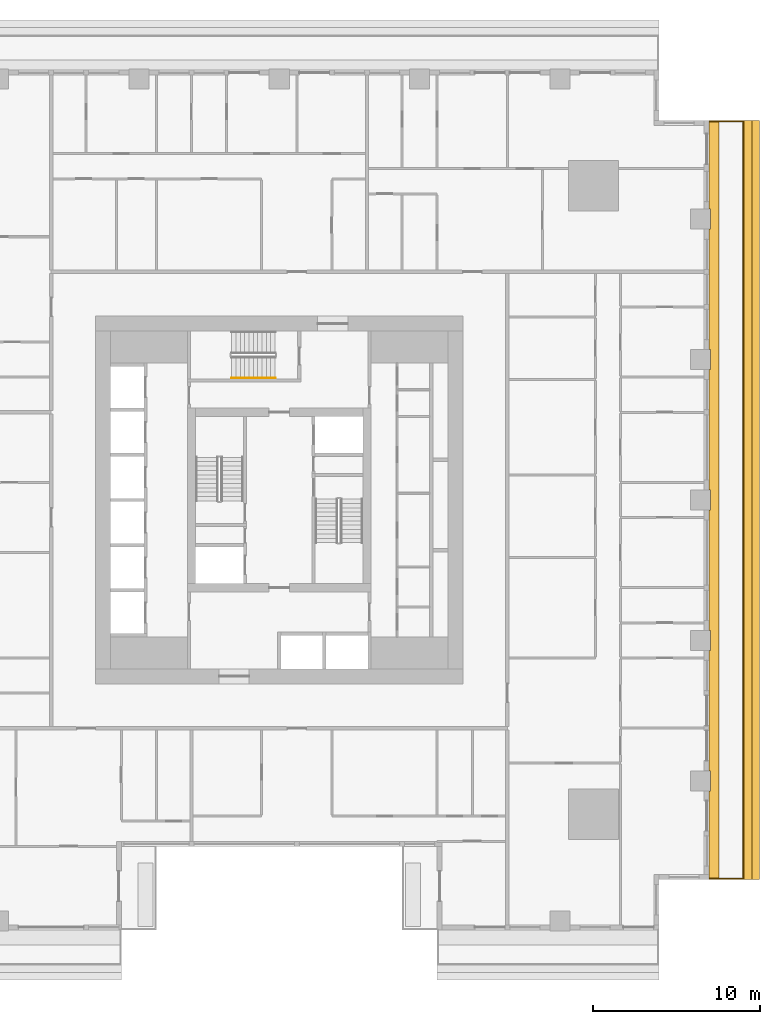
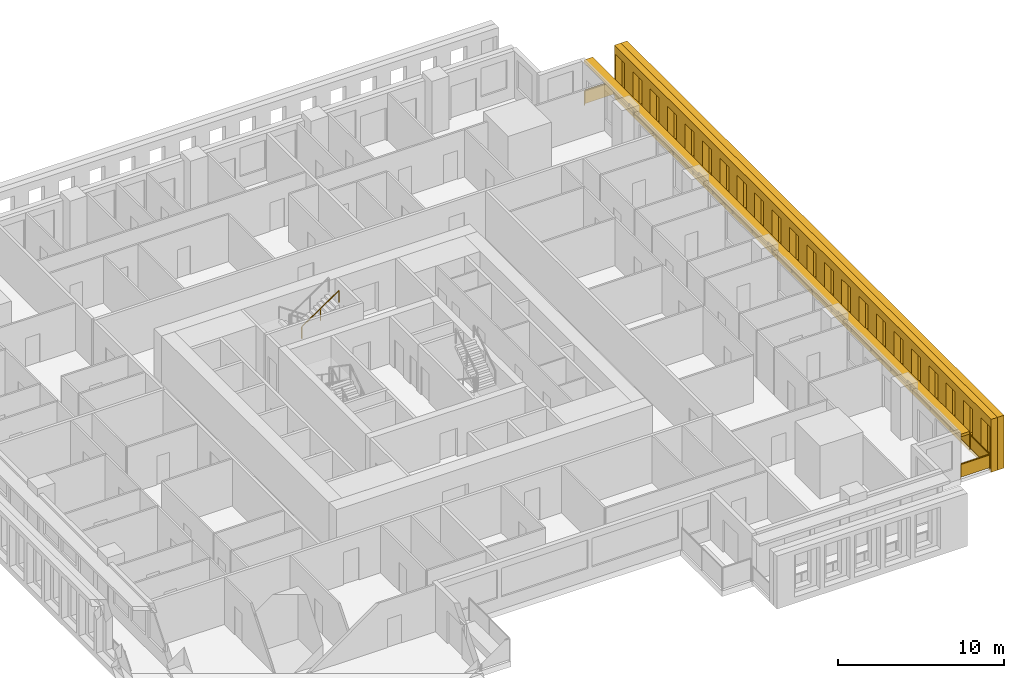
# One storey, part 13 of 15: 3 shading devices, 2 railings.
"""IFC4 building model written with IfcOpenShell, lengths in metres."""

from ifc_helpers import new_model, si_unit, direction, frame, origin, origin_2d, place, context, subcontext, project, spatial, polyline, rectangle, outline, extrude, material, layer, layer_set, type_object, element, save


model = new_model("IFC4")

# Units and contexts
model_context = context("Model", 3, precision=1e-05, world=origin(), true_north=direction((0.0, 1.0)))
body_context = subcontext(model_context, "Body", "Model", "MODEL_VIEW")
ifc_project = project(units=[si_unit("LENGTHUNIT", "METRE"), si_unit("AREAUNIT", "SQUARE_METRE"), si_unit("VOLUMEUNIT", "CUBIC_METRE"), si_unit("PLANEANGLEUNIT", "RADIAN"), si_unit("MASSUNIT", "GRAM", prefix="KILO")], contexts=[model_context])

# Site, building, storey
site_placement = place(None, origin())
site = spatial("IfcSite", under=ifc_project, at=site_placement, CompositionType="ELEMENT")
building_placement = place(site_placement, origin())
building = spatial("IfcBuilding", under=site, at=building_placement, Name="Khepri Terraces", CompositionType="ELEMENT")
storey_placement = place(building_placement, frame((0.0, 0.0, 50.39990234375)))
storey = spatial("IfcBuildingStorey", under=building, at=storey_placement, Name="L11", CompositionType="ELEMENT", Elevation=50.39990234375)

# Railings
ifc_material_1 = material(Name="Stainless steel grade 316", Category="steel")
railing_type_1 = type_object("IfcRailingType", Name="GRD-BAL-1100", PredefinedType="GUARDRAIL", material=ifc_material_1)
railing_1_placement = place(storey_placement, frame((25.719970703125, -22.669921875, 0.0)))
element("IfcRailing", 1, at=railing_1_placement, inside=storey, type_object=railing_type_1, Name="Balcony guard L11 E", PredefinedType="GUARDRAIL", context=body_context, shape_type="SweptSolid", body=[
    extrude(rectangle(XDim=0.050048828125, YDim=0.06005859375, at=origin_2d()), frame((0.0, 0.0, 1.070068359375), z_axis=(1.0, 0.0, 0.0), x_axis=(0.0, 1.0, 0.0)), (0.0, 0.0, 1.0), 2.050048828125),
    extrude(rectangle(XDim=2.0, YDim=0.011962890625, at=origin_2d()), frame((1.02490234375, 0.0, 0.10009765625), z_axis=(0.0, 0.0, 1.0), x_axis=(1.0, 0.0, 0.0)), (0.0, 0.0, 1.0), 0.93994140625),
    extrude(rectangle(XDim=0.050048828125, YDim=0.06005859375, at=origin_2d()), frame((2.050048828125, 0.0, 1.070068359375), z_axis=(0.0, 1.0, 0.0), x_axis=(-1.0, 0.0, 0.0)), (0.0, 0.0, 1.0), 45.33984375),
    extrude(rectangle(XDim=2.336181640625, YDim=0.011962890625, at=origin_2d()), frame((2.050048828125, 1.193115234375, 0.10009765625), z_axis=(0.0, 0.0, 1.0), x_axis=(0.0, 1.0, 0.0)), (0.0, 0.0, 1.0), 0.93994140625),
    extrude(rectangle(XDim=2.336181640625, YDim=0.011962890625, at=origin_2d()), frame((2.050048828125, 3.579345703125, 0.10009765625), z_axis=(0.0, 0.0, 1.0), x_axis=(0.0, 1.0, 0.0)), (0.0, 0.0, 1.0), 0.93994140625),
    extrude(rectangle(XDim=2.336181640625, YDim=0.011962890625, at=origin_2d()), frame((2.050048828125, 5.9658203125, 0.10009765625), z_axis=(0.0, 0.0, 1.0), x_axis=(0.0, 1.0, 0.0)), (0.0, 0.0, 1.0), 0.93994140625),
    extrude(rectangle(XDim=2.336181640625, YDim=0.011962890625, at=origin_2d()), frame((2.050048828125, 8.35205078125, 0.10009765625), z_axis=(0.0, 0.0, 1.0), x_axis=(0.0, 1.0, 0.0)), (0.0, 0.0, 1.0), 0.93994140625),
    extrude(rectangle(XDim=2.336181640625, YDim=0.011962890625, at=origin_2d()), frame((2.050048828125, 10.73828125, 0.10009765625), z_axis=(0.0, 0.0, 1.0), x_axis=(0.0, 1.0, 0.0)), (0.0, 0.0, 1.0), 0.93994140625),
    extrude(rectangle(XDim=2.336181640625, YDim=0.011962890625, at=origin_2d()), frame((2.050048828125, 13.124755859375, 0.10009765625), z_axis=(0.0, 0.0, 1.0), x_axis=(0.0, 1.0, 0.0)), (0.0, 0.0, 1.0), 0.93994140625),
    extrude(rectangle(XDim=2.336181640625, YDim=0.011962890625, at=origin_2d()), frame((2.050048828125, 15.510986328125, 0.10009765625), z_axis=(0.0, 0.0, 1.0), x_axis=(0.0, 1.0, 0.0)), (0.0, 0.0, 1.0), 0.93994140625),
    extrude(rectangle(XDim=2.336181640625, YDim=0.011962890625, at=origin_2d()), frame((2.050048828125, 17.897216796875, 0.10009765625), z_axis=(0.0, 0.0, 1.0), x_axis=(0.0, 1.0, 0.0)), (0.0, 0.0, 1.0), 0.93994140625),
    extrude(rectangle(XDim=2.336181640625, YDim=0.011962890625, at=origin_2d()), frame((2.050048828125, 20.28369140625, 0.10009765625), z_axis=(0.0, 0.0, 1.0), x_axis=(0.0, 1.0, 0.0)), (0.0, 0.0, 1.0), 0.93994140625),
    extrude(rectangle(XDim=2.336181640625, YDim=0.011962890625, at=origin_2d()), frame((2.050048828125, 22.669921875, 0.10009765625), z_axis=(0.0, 0.0, 1.0), x_axis=(0.0, 1.0, 0.0)), (0.0, 0.0, 1.0), 0.93994140625),
    extrude(rectangle(XDim=2.336181640625, YDim=0.011962890625, at=origin_2d()), frame((2.050048828125, 25.05615234375, 0.10009765625), z_axis=(0.0, 0.0, 1.0), x_axis=(0.0, 1.0, 0.0)), (0.0, 0.0, 1.0), 0.93994140625),
    extrude(rectangle(XDim=2.336181640625, YDim=0.011962890625, at=origin_2d()), frame((2.050048828125, 27.442626953125, 0.10009765625), z_axis=(0.0, 0.0, 1.0), x_axis=(0.0, 1.0, 0.0)), (0.0, 0.0, 1.0), 0.93994140625),
    extrude(rectangle(XDim=2.336181640625, YDim=0.011962890625, at=origin_2d()), frame((2.050048828125, 29.828857421875, 0.10009765625), z_axis=(0.0, 0.0, 1.0), x_axis=(0.0, 1.0, 0.0)), (0.0, 0.0, 1.0), 0.93994140625),
    extrude(rectangle(XDim=2.336181640625, YDim=0.011962890625, at=origin_2d()), frame((2.050048828125, 32.215087890625, 0.10009765625), z_axis=(0.0, 0.0, 1.0), x_axis=(0.0, 1.0, 0.0)), (0.0, 0.0, 1.0), 0.93994140625),
    extrude(rectangle(XDim=2.336181640625, YDim=0.011962890625, at=origin_2d()), frame((2.050048828125, 34.6015625, 0.10009765625), z_axis=(0.0, 0.0, 1.0), x_axis=(0.0, 1.0, 0.0)), (0.0, 0.0, 1.0), 0.93994140625),
    extrude(rectangle(XDim=2.336181640625, YDim=0.011962890625, at=origin_2d()), frame((2.050048828125, 36.98779296875, 0.10009765625), z_axis=(0.0, 0.0, 1.0), x_axis=(0.0, 1.0, 0.0)), (0.0, 0.0, 1.0), 0.93994140625),
    extrude(rectangle(XDim=2.336181640625, YDim=0.011962890625, at=origin_2d()), frame((2.050048828125, 39.3740234375, 0.10009765625), z_axis=(0.0, 0.0, 1.0), x_axis=(0.0, 1.0, 0.0)), (0.0, 0.0, 1.0), 0.93994140625),
    extrude(rectangle(XDim=2.336181640625, YDim=0.011962890625, at=origin_2d()), frame((2.050048828125, 41.760498046875, 0.10009765625), z_axis=(0.0, 0.0, 1.0), x_axis=(0.0, 1.0, 0.0)), (0.0, 0.0, 1.0), 0.93994140625),
    extrude(rectangle(XDim=2.336181640625, YDim=0.011962890625, at=origin_2d()), frame((2.050048828125, 44.146728515625, 0.10009765625), z_axis=(0.0, 0.0, 1.0), x_axis=(0.0, 1.0, 0.0)), (0.0, 0.0, 1.0), 0.93994140625),
    extrude(rectangle(XDim=0.050048828125, YDim=0.06005859375, at=origin_2d()), frame((2.050048828125, 45.33984375, 1.070068359375), z_axis=(-1.0, 0.0, 0.0), x_axis=(0.0, -1.0, 0.0)), (0.0, 0.0, 1.0), 2.050048828125),
    extrude(rectangle(XDim=2.0, YDim=0.011962890625, at=origin_2d()), frame((1.02490234375, 45.33984375, 0.10009765625), z_axis=(0.0, 0.0, 1.0), x_axis=(-1.0, 0.0, 0.0)), (0.0, 0.0, 1.0), 0.93994140625),
    extrude(rectangle(XDim=0.050048828125, YDim=0.050048828125, at=origin_2d()), origin(), (0.0, 0.0, 1.0), 1.0400390625),
    extrude(rectangle(XDim=0.050048828125, YDim=0.050048828125, at=origin_2d()), frame((2.050048828125, 0.0, 0.0)), (0.0, 0.0, 1.0), 1.0400390625),
    extrude(rectangle(XDim=0.050048828125, YDim=0.050048828125, at=origin_2d()), frame((2.050048828125, 2.38623046875, 0.0)), (0.0, 0.0, 1.0), 1.0400390625),
    extrude(rectangle(XDim=0.050048828125, YDim=0.050048828125, at=origin_2d()), frame((2.050048828125, 4.772705078125, 0.0)), (0.0, 0.0, 1.0), 1.0400390625),
    extrude(rectangle(XDim=0.050048828125, YDim=0.050048828125, at=origin_2d()), frame((2.050048828125, 7.158935546875, 0.0)), (0.0, 0.0, 1.0), 1.0400390625),
    extrude(rectangle(XDim=0.050048828125, YDim=0.050048828125, at=origin_2d()), frame((2.050048828125, 9.545166015625, 0.0)), (0.0, 0.0, 1.0), 1.0400390625),
    extrude(rectangle(XDim=0.050048828125, YDim=0.050048828125, at=origin_2d()), frame((2.050048828125, 11.931640625, 0.0)), (0.0, 0.0, 1.0), 1.0400390625),
    extrude(rectangle(XDim=0.050048828125, YDim=0.050048828125, at=origin_2d()), frame((2.050048828125, 14.31787109375, 0.0)), (0.0, 0.0, 1.0), 1.0400390625),
    extrude(rectangle(XDim=0.050048828125, YDim=0.050048828125, at=origin_2d()), frame((2.050048828125, 16.7041015625, 0.0)), (0.0, 0.0, 1.0), 1.0400390625),
    extrude(rectangle(XDim=0.050048828125, YDim=0.050048828125, at=origin_2d()), frame((2.050048828125, 19.090576171875, 0.0)), (0.0, 0.0, 1.0), 1.0400390625),
    extrude(rectangle(XDim=0.050048828125, YDim=0.050048828125, at=origin_2d()), frame((2.050048828125, 21.476806640625, 0.0)), (0.0, 0.0, 1.0), 1.0400390625),
    extrude(rectangle(XDim=0.050048828125, YDim=0.050048828125, at=origin_2d()), frame((2.050048828125, 23.863037109375, 0.0)), (0.0, 0.0, 1.0), 1.0400390625),
    extrude(rectangle(XDim=0.050048828125, YDim=0.050048828125, at=origin_2d()), frame((2.050048828125, 26.249267578125, 0.0)), (0.0, 0.0, 1.0), 1.0400390625),
    extrude(rectangle(XDim=0.050048828125, YDim=0.050048828125, at=origin_2d()), frame((2.050048828125, 28.6357421875, 0.0)), (0.0, 0.0, 1.0), 1.0400390625),
    extrude(rectangle(XDim=0.050048828125, YDim=0.050048828125, at=origin_2d()), frame((2.050048828125, 31.02197265625, 0.0)), (0.0, 0.0, 1.0), 1.0400390625),
    extrude(rectangle(XDim=0.050048828125, YDim=0.050048828125, at=origin_2d()), frame((2.050048828125, 33.408203125, 0.0)), (0.0, 0.0, 1.0), 1.0400390625),
    extrude(rectangle(XDim=0.050048828125, YDim=0.050048828125, at=origin_2d()), frame((2.050048828125, 35.794677734375, 0.0)), (0.0, 0.0, 1.0), 1.0400390625),
    extrude(rectangle(XDim=0.050048828125, YDim=0.050048828125, at=origin_2d()), frame((2.050048828125, 38.180908203125, 0.0)), (0.0, 0.0, 1.0), 1.0400390625),
    extrude(rectangle(XDim=0.050048828125, YDim=0.050048828125, at=origin_2d()), frame((2.050048828125, 40.567138671875, 0.0)), (0.0, 0.0, 1.0), 1.0400390625),
    extrude(rectangle(XDim=0.050048828125, YDim=0.050048828125, at=origin_2d()), frame((2.050048828125, 42.95361328125, 0.0)), (0.0, 0.0, 1.0), 1.0400390625),
    extrude(rectangle(XDim=0.050048828125, YDim=0.050048828125, at=origin_2d()), frame((2.050048828125, 45.33984375, 0.0)), (0.0, 0.0, 1.0), 1.0400390625),
    extrude(rectangle(XDim=0.050048828125, YDim=0.050048828125, at=origin_2d()), frame((0.0, 45.33984375, 0.0)), (0.0, 0.0, 1.0), 1.0400390625),
])
ifc_material_2 = material(Name="Stainless steel 316", Category="steel")
railing_type_2 = type_object("IfcRailingType", Name="RL-CORE-HANDRAIL", PredefinedType="HANDRAIL", material=ifc_material_2)
railing_2_placement = place(storey_placement, frame((-2.85009765625, 7.300048828125, 2.12744140625)))
element("IfcRailing", 2, at=railing_2_placement, inside=storey, type_object=railing_type_2, Name="L11 ST-3 stair handrail 2", PredefinedType="HANDRAIL", context=body_context, shape_type="SweptSolid", body=[
    extrude(rectangle(XDim=0.050048828125, YDim=0.050048828125, at=origin_2d()), frame((0.0, 0.0, 0.875), z_axis=(0.826240473404, 0.0, 0.563317565952), x_axis=(0.0, 1.0, 0.0)), (0.0, 0.0, 1.0), 3.14697265625),
    extrude(rectangle(XDim=0.050048828125, YDim=0.050048828125, at=origin_2d()), origin(), (0.0, 0.0, 1.0), 0.849853515625),
    extrude(rectangle(XDim=0.050048828125, YDim=0.050048828125, at=origin_2d()), frame((1.300048828125, 0.0, 0.88623046875)), (0.0, 0.0, 1.0), 0.849853515625),
    extrude(rectangle(XDim=0.050048828125, YDim=0.050048828125, at=origin_2d()), frame((2.60009765625, 0.0, 1.772705078125)), (0.0, 0.0, 1.0), 0.849853515625),
])

# Shading devices
ifc_material_3 = material(Name="Precast concrete C50/60 warm stone", Category="masonry")
shading_device_type_1 = type_object("IfcShadingDeviceType", Name="SCR-CELL-INNER-450", PredefinedType="USERDEFINED", material=ifc_material_3)
shading_device_1_placement = place(storey_placement, frame((27.820068359375, -22.719970703125, -0.25), z_axis=(1.0, 0.0, 0.0), x_axis=(0.0, 1.0, 0.0)))
element("IfcShadingDevice", 3, at=shading_device_1_placement, inside=storey, type_object=shading_device_type_1, Name="Cell screen L11 E in", ObjectType="SCREEN", PredefinedType="USERDEFINED", context=body_context, shape_type="SweptSolid", body=[
    extrude(outline(polyline([(0.0, 0.0), (45.43994140625, 0.0), (45.43994140625, 3.89990234375), (0.0, 3.89990234375), (0.0, 0.0)]), holes=[polyline([(0.126708984375, 0.699951171875), (1.21337890625, 0.699951171875), (1.21337890625, 3.300048828125), (0.126708984375, 3.300048828125), (0.126708984375, 0.699951171875)]), polyline([(2.2265625, 0.699951171875), (3.3134765625, 0.699951171875), (3.3134765625, 3.300048828125), (2.2265625, 3.300048828125), (2.2265625, 0.699951171875)]), polyline([(4.32666015625, 0.699951171875), (5.413330078125, 0.699951171875), (5.413330078125, 3.300048828125), (4.32666015625, 3.300048828125), (4.32666015625, 0.699951171875)]), polyline([(6.426513671875, 0.699951171875), (7.513427734375, 0.699951171875), (7.513427734375, 3.300048828125), (6.426513671875, 3.300048828125), (6.426513671875, 0.699951171875)]), polyline([(8.526611328125, 0.699951171875), (9.61328125, 0.699951171875), (9.61328125, 3.300048828125), (8.526611328125, 3.300048828125), (8.526611328125, 0.699951171875)]), polyline([(10.626708984375, 0.699951171875), (11.71337890625, 0.699951171875), (11.71337890625, 3.300048828125), (10.626708984375, 3.300048828125), (10.626708984375, 0.699951171875)]), polyline([(12.7265625, 0.699951171875), (13.8134765625, 0.699951171875), (13.8134765625, 3.300048828125), (12.7265625, 3.300048828125), (12.7265625, 0.699951171875)]), polyline([(14.82666015625, 0.699951171875), (15.913330078125, 0.699951171875), (15.913330078125, 3.300048828125), (14.82666015625, 3.300048828125), (14.82666015625, 0.699951171875)]), polyline([(16.926513671875, 0.699951171875), (18.013427734375, 0.699951171875), (18.013427734375, 3.300048828125), (16.926513671875, 3.300048828125), (16.926513671875, 0.699951171875)]), polyline([(19.026611328125, 0.699951171875), (20.11328125, 0.699951171875), (20.11328125, 3.300048828125), (19.026611328125, 3.300048828125), (19.026611328125, 0.699951171875)]), polyline([(21.126708984375, 0.699951171875), (22.21337890625, 0.699951171875), (22.21337890625, 3.300048828125), (21.126708984375, 3.300048828125), (21.126708984375, 0.699951171875)]), polyline([(23.2265625, 0.699951171875), (24.3134765625, 0.699951171875), (24.3134765625, 3.300048828125), (23.2265625, 3.300048828125), (23.2265625, 0.699951171875)]), polyline([(25.32666015625, 0.699951171875), (26.413330078125, 0.699951171875), (26.413330078125, 3.300048828125), (25.32666015625, 3.300048828125), (25.32666015625, 0.699951171875)]), polyline([(27.426513671875, 0.699951171875), (28.513427734375, 0.699951171875), (28.513427734375, 3.300048828125), (27.426513671875, 3.300048828125), (27.426513671875, 0.699951171875)]), polyline([(29.526611328125, 0.699951171875), (30.61328125, 0.699951171875), (30.61328125, 3.300048828125), (29.526611328125, 3.300048828125), (29.526611328125, 0.699951171875)]), polyline([(31.626708984375, 0.699951171875), (32.71337890625, 0.699951171875), (32.71337890625, 3.300048828125), (31.626708984375, 3.300048828125), (31.626708984375, 0.699951171875)]), polyline([(33.7265625, 0.699951171875), (34.8134765625, 0.699951171875), (34.8134765625, 3.300048828125), (33.7265625, 3.300048828125), (33.7265625, 0.699951171875)]), polyline([(35.82666015625, 0.699951171875), (36.913330078125, 0.699951171875), (36.913330078125, 3.300048828125), (35.82666015625, 3.300048828125), (35.82666015625, 0.699951171875)]), polyline([(37.926513671875, 0.699951171875), (39.013427734375, 0.699951171875), (39.013427734375, 3.300048828125), (37.926513671875, 3.300048828125), (37.926513671875, 0.699951171875)]), polyline([(40.026611328125, 0.699951171875), (41.11328125, 0.699951171875), (41.11328125, 3.300048828125), (40.026611328125, 3.300048828125), (40.026611328125, 0.699951171875)]), polyline([(42.126708984375, 0.699951171875), (43.21337890625, 0.699951171875), (43.21337890625, 3.300048828125), (42.126708984375, 3.300048828125), (42.126708984375, 0.699951171875)]), polyline([(44.2265625, 0.699951171875), (45.3134765625, 0.699951171875), (45.3134765625, 3.300048828125), (44.2265625, 3.300048828125), (44.2265625, 0.699951171875)])]), origin(), (0.0, 0.0, 1.0), 0.449951171875),
])
shading_device_type_2 = type_object("IfcShadingDeviceType", Name="SCR-CELL-OUTER-450", PredefinedType="USERDEFINED", material=ifc_material_3)
shading_device_2_placement = place(storey_placement, frame((28.27001953125, -22.719970703125, -0.25), z_axis=(1.0, 0.0, 0.0), x_axis=(0.0, 1.0, 0.0)))
element("IfcShadingDevice", 4, at=shading_device_2_placement, inside=storey, type_object=shading_device_type_2, Name="Cell screen L11 E out", ObjectType="SCREEN", PredefinedType="USERDEFINED", context=body_context, shape_type="SweptSolid", body=[
    extrude(outline(polyline([(0.0, 0.0), (45.43994140625, 0.0), (45.43994140625, 3.89990234375), (0.0, 3.89990234375), (0.0, 0.0)]), holes=[polyline([(1.876708984375, 0.449951171875), (3.663330078125, 0.449951171875), (3.663330078125, 3.550048828125), (1.876708984375, 3.550048828125), (1.876708984375, 0.449951171875)]), polyline([(3.9765625, 0.449951171875), (5.763427734375, 0.449951171875), (5.763427734375, 3.550048828125), (3.9765625, 3.550048828125), (3.9765625, 0.449951171875)]), polyline([(6.07666015625, 0.449951171875), (7.86328125, 0.449951171875), (7.86328125, 3.550048828125), (6.07666015625, 3.550048828125), (6.07666015625, 0.449951171875)]), polyline([(8.176513671875, 0.449951171875), (9.96337890625, 0.449951171875), (9.96337890625, 3.550048828125), (8.176513671875, 3.550048828125), (8.176513671875, 0.449951171875)]), polyline([(10.276611328125, 0.449951171875), (12.0634765625, 0.449951171875), (12.0634765625, 3.550048828125), (10.276611328125, 3.550048828125), (10.276611328125, 0.449951171875)]), polyline([(12.376708984375, 0.449951171875), (14.163330078125, 0.449951171875), (14.163330078125, 3.550048828125), (12.376708984375, 3.550048828125), (12.376708984375, 0.449951171875)]), polyline([(14.4765625, 0.449951171875), (16.263427734375, 0.449951171875), (16.263427734375, 3.550048828125), (14.4765625, 3.550048828125), (14.4765625, 0.449951171875)]), polyline([(16.57666015625, 0.449951171875), (18.36328125, 0.449951171875), (18.36328125, 3.550048828125), (16.57666015625, 3.550048828125), (16.57666015625, 0.449951171875)]), polyline([(18.676513671875, 0.449951171875), (20.46337890625, 0.449951171875), (20.46337890625, 3.550048828125), (18.676513671875, 3.550048828125), (18.676513671875, 0.449951171875)]), polyline([(20.776611328125, 0.449951171875), (22.5634765625, 0.449951171875), (22.5634765625, 3.550048828125), (20.776611328125, 3.550048828125), (20.776611328125, 0.449951171875)]), polyline([(22.876708984375, 0.449951171875), (24.663330078125, 0.449951171875), (24.663330078125, 3.550048828125), (22.876708984375, 3.550048828125), (22.876708984375, 0.449951171875)]), polyline([(24.9765625, 0.449951171875), (26.763427734375, 0.449951171875), (26.763427734375, 3.550048828125), (24.9765625, 3.550048828125), (24.9765625, 0.449951171875)]), polyline([(27.07666015625, 0.449951171875), (28.86328125, 0.449951171875), (28.86328125, 3.550048828125), (27.07666015625, 3.550048828125), (27.07666015625, 0.449951171875)]), polyline([(29.176513671875, 0.449951171875), (30.96337890625, 0.449951171875), (30.96337890625, 3.550048828125), (29.176513671875, 3.550048828125), (29.176513671875, 0.449951171875)]), polyline([(31.276611328125, 0.449951171875), (33.0634765625, 0.449951171875), (33.0634765625, 3.550048828125), (31.276611328125, 3.550048828125), (31.276611328125, 0.449951171875)]), polyline([(33.376708984375, 0.449951171875), (35.163330078125, 0.449951171875), (35.163330078125, 3.550048828125), (33.376708984375, 3.550048828125), (33.376708984375, 0.449951171875)]), polyline([(35.4765625, 0.449951171875), (37.263427734375, 0.449951171875), (37.263427734375, 3.550048828125), (35.4765625, 3.550048828125), (35.4765625, 0.449951171875)]), polyline([(37.57666015625, 0.449951171875), (39.36328125, 0.449951171875), (39.36328125, 3.550048828125), (37.57666015625, 3.550048828125), (37.57666015625, 0.449951171875)]), polyline([(39.676513671875, 0.449951171875), (41.46337890625, 0.449951171875), (41.46337890625, 3.550048828125), (39.676513671875, 3.550048828125), (39.676513671875, 0.449951171875)]), polyline([(41.776611328125, 0.449951171875), (43.5634765625, 0.449951171875), (43.5634765625, 3.550048828125), (41.776611328125, 3.550048828125), (41.776611328125, 0.449951171875)])]), origin(), (0.0, 0.0, 1.0), 0.449951171875),
])
ifc_layer = layer(ifc_material_3, 0.199951171875, Name="Precast concrete C50/60 warm stone", Category="masonry")
ifc_layer_set = layer_set([ifc_layer], Name="Precast concrete C50/60 warm stone")
shading_device_type_3 = type_object("IfcShadingDeviceType", Name="SSH-BAND-STONE-200-N", PredefinedType="USERDEFINED", material=ifc_layer_set)
shading_device_3_placement = place(storey_placement, frame((0.0, 0.0, 3.10009765625)))
element("IfcShadingDevice", 5, at=shading_device_3_placement, inside=storey, type_object=shading_device_type_3, Name="Sunshade band L11 E", ObjectType="SUNSHADE", PredefinedType="USERDEFINED", context=body_context, shape_type="SweptSolid", body=[
    extrude(outline(polyline([(25.719970703125, -17.39990234375), (25.719970703125, -22.719970703125), (26.320068359375, -22.719970703125), (26.320068359375, 22.719970703125), (25.719970703125, 22.719970703125), (25.719970703125, 17.39990234375), (25.800048828125, 17.39990234375), (25.800048828125, 16.199951171875), (25.719970703125, 16.199951171875), (25.719970703125, 9.0), (25.800048828125, 9.0), (25.800048828125, 7.800048828125), (25.719970703125, 7.800048828125), (25.719970703125, 0.60009765625), (25.800048828125, 0.60009765625), (25.800048828125, -0.60009765625), (25.719970703125, -0.60009765625), (25.719970703125, -7.800048828125), (25.800048828125, -7.800048828125), (25.800048828125, -9.0), (25.719970703125, -9.0), (25.719970703125, -16.199951171875), (25.800048828125, -16.199951171875), (25.800048828125, -17.39990234375), (25.719970703125, -17.39990234375)])), origin(), (0.0, 0.0, 1.0), 0.199951171875),
])

save(model, "model.ifc")
